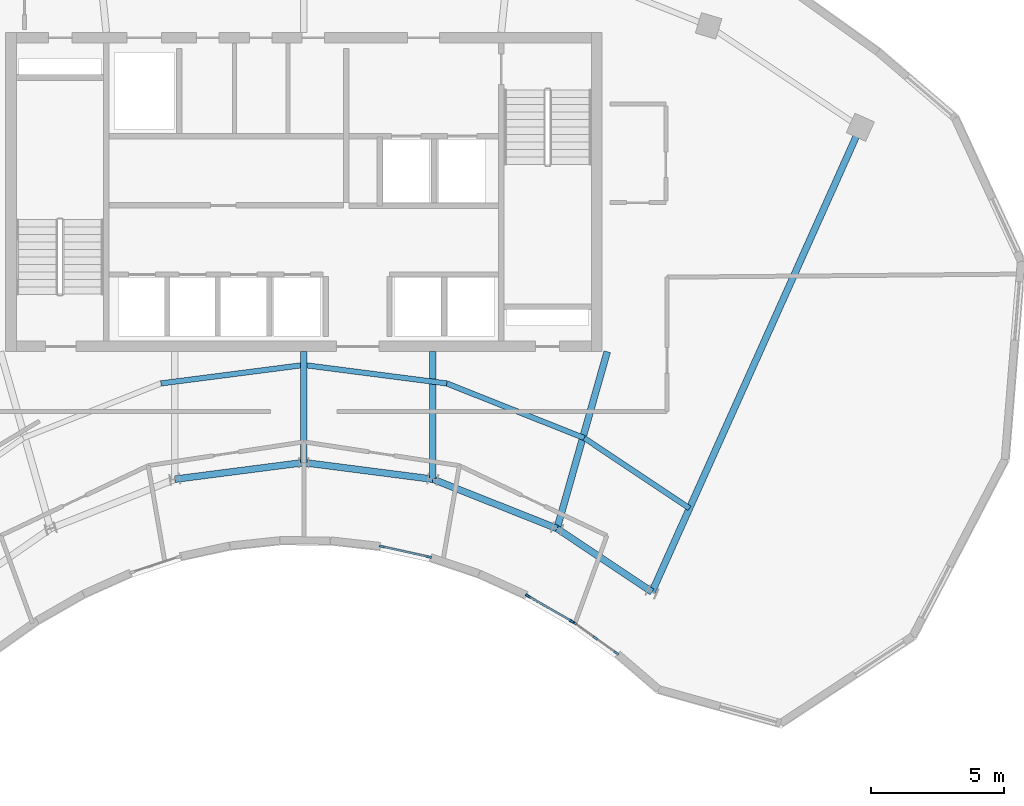
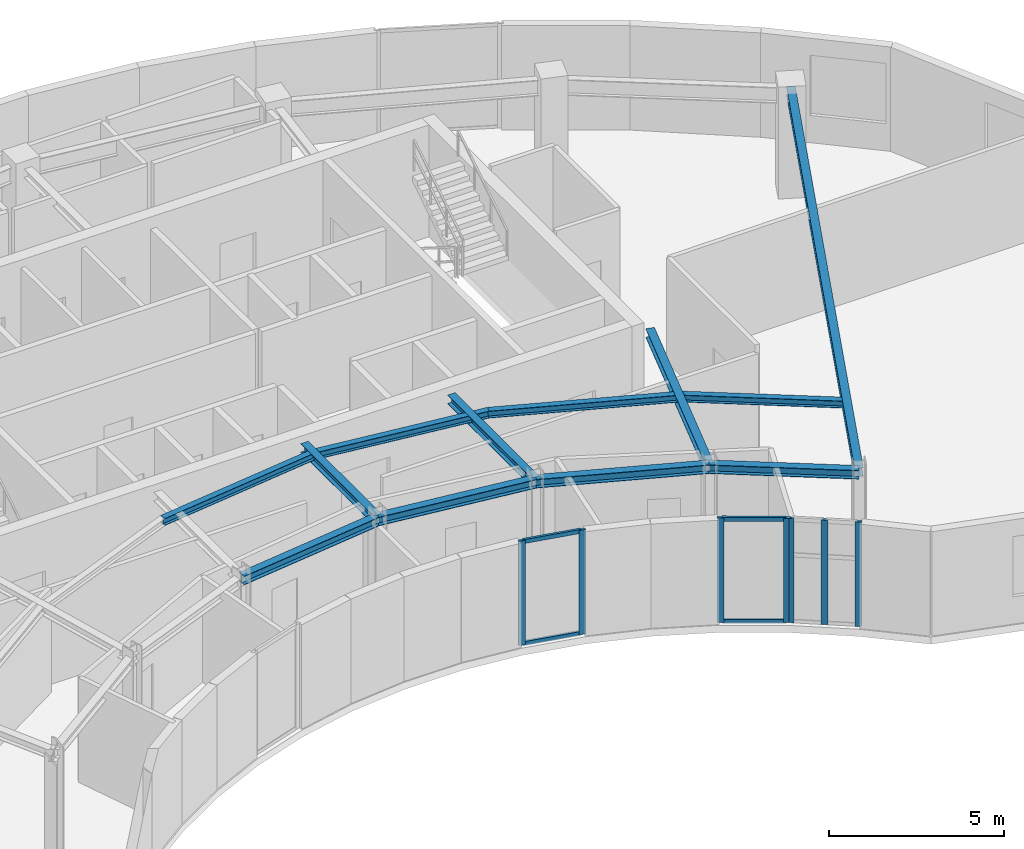
# One storey, part 3 of 13: 12 beams, 11 members, 3 elements without a shape of their own.
"""IFC4 building model written with IfcOpenShell, lengths in metres."""

from ifc_helpers import new_model, si_unit, direction, frame, origin, origin_2d, place, context, subcontext, project, spatial, rectangle, i_section, extrude, source, transform, mapped, material, layer, layer_set, material_profile, profile_set, type_object, element, aggregate, save


model = new_model("IFC4")

# Units and contexts
model_context = context("Model", 3, precision=1e-05, world=origin(), true_north=direction((0.0, 1.0)))
body_context = subcontext(model_context, "Body", "Model", "MODEL_VIEW")
ifc_project = project(units=[si_unit("LENGTHUNIT", "METRE"), si_unit("AREAUNIT", "SQUARE_METRE"), si_unit("VOLUMEUNIT", "CUBIC_METRE"), si_unit("PLANEANGLEUNIT", "RADIAN"), si_unit("MASSUNIT", "GRAM", prefix="KILO")], contexts=[model_context])

# Site, building, storey
site_placement = place(None, origin())
site = spatial("IfcSite", under=ifc_project, at=site_placement, CompositionType="ELEMENT")
building_placement = place(site_placement, origin())
building = spatial("IfcBuilding", under=site, at=building_placement, Name="Breltana Convention Tower", CompositionType="ELEMENT")
storey_placement = place(building_placement, frame((0.0, 0.0, 271.800048828125)))
storey = spatial("IfcBuildingStorey", under=building, at=storey_placement, Name="L66", CompositionType="ELEMENT", Elevation=271.800048828125)

# Beams
ifc_material_1 = material(Name="Steel ASTM A992 Grade 50", Category="steel")
ifc_material_profile_1 = material_profile(ifc_material_1, i_section(OverallWidth=0.25390625, OverallDepth=0.305908203125, WebThickness=0.0087890625, FlangeThickness=0.0146484375, at=origin_2d()), Name="W12X53")
ifc_profile_set_1 = profile_set([ifc_material_profile_1], Name="Steel ASTM A992 Grade 50")
beam_type_1 = type_object("IfcBeamType", Name="BM-CN-W12X53", PredefinedType="BEAM", material=ifc_profile_set_1)
shared_shape_1 = source(origin(), body_context, "Body", "SweptSolid", [
    extrude(i_section(OverallWidth=0.25390625, OverallDepth=0.305908203125, WebThickness=0.0087890625, FlangeThickness=0.0146484375, at=origin_2d()), origin(), (0.0, 0.0, 1.0), 6.904541015625),
])
beam_1_placement = place(storey_placement, frame((59.39990234375, 60.199951171875, 3.487060546875), z_axis=(-0.273006781054, -0.962012108811, 0.0), x_axis=(0.962012108811, -0.273006781054, 0.0)))
element("IfcBeam", 1, at=beam_1_placement, inside=storey, type_object=beam_type_1, Name="L66 South Core Tie Girder R08", PredefinedType="BEAM", context=body_context, shape_type="MappedRepresentation", body=[
    mapped(shared_shape_1, transform((0.0, 0.0, 0.0), scale=1.0)),
])
shared_shape_2 = source(origin(), body_context, "Body", "SweptSolid", [
    extrude(i_section(OverallWidth=0.25390625, OverallDepth=0.305908203125, WebThickness=0.0087890625, FlangeThickness=0.0146484375, at=origin_2d()), origin(), (0.0, 0.0, 1.0), 4.789306640625),
])
beam_2_placement = place(storey_placement, frame((52.846435546875, 60.199951171875, 3.487060546875), z_axis=(0.0, -1.0, 0.0), x_axis=(1.0, 0.0, 0.0)))
element("IfcBeam", 2, at=beam_2_placement, inside=storey, type_object=beam_type_1, Name="L66 South Core Tie Girder R07", PredefinedType="BEAM", context=body_context, shape_type="MappedRepresentation", body=[
    mapped(shared_shape_2, transform((0.0, 0.0, 0.0), scale=1.0)),
])
shared_shape_3 = source(origin(), body_context, "Body", "SweptSolid", [
    extrude(i_section(OverallWidth=0.25390625, OverallDepth=0.305908203125, WebThickness=0.0087890625, FlangeThickness=0.0146484375, at=origin_2d()), origin(), (0.0, 0.0, 1.0), 4.1640625),
])
beam_3_placement = place(storey_placement, frame((48.0, 60.199951171875, 3.487060546875), z_axis=(0.0, -1.0, 0.0), x_axis=(1.0, 0.0, 0.0)))
element("IfcBeam", 3, at=beam_3_placement, inside=storey, type_object=beam_type_1, Name="L66 South Core Tie Girder R06", PredefinedType="BEAM", context=body_context, shape_type="MappedRepresentation", body=[
    mapped(shared_shape_3, transform((0.0, 0.0, 0.0), scale=1.0)),
])
shared_shape_4 = source(origin(), body_context, "Body", "SweptSolid", [
    extrude(i_section(OverallWidth=0.25390625, OverallDepth=0.305908203125, WebThickness=0.0087890625, FlangeThickness=0.0146484375, at=origin_2d()), origin(), (0.0, 0.0, 1.0), 19.133544921875),
])
beam_4_placement = place(storey_placement, frame((61.08203125, 51.174560546875, 3.487060546875), z_axis=(0.409144564164, 0.912469575172, 0.0), x_axis=(-0.912469575172, 0.409144564164, 0.0)))
element("IfcBeam", 4, at=beam_4_placement, inside=storey, type_object=beam_type_1, Name="L66 Radial Floor Girder R09", PredefinedType="BEAM", context=body_context, shape_type="MappedRepresentation", body=[
    mapped(shared_shape_4, transform((0.0, 0.0, 0.0), scale=1.0)),
])
shared_shape_5 = source(origin(), body_context, "Body", "SweptSolid", [
    extrude(i_section(OverallWidth=0.25390625, OverallDepth=0.305908203125, WebThickness=0.0087890625, FlangeThickness=0.0146484375, at=origin_2d()), origin(), (0.0, 0.0, 1.0), 5.022705078125),
])
beam_5_placement = place(storey_placement, frame((52.846435546875, 55.41064453125, 3.487060546875), z_axis=(0.929458966248, -0.368925507469, 0.0), x_axis=(0.368925507469, 0.929458966248, 0.0)))
element("IfcBeam", 5, at=beam_5_placement, inside=storey, type_object=beam_type_1, Name="L66 Inner Ring Beam 07", PredefinedType="BEAM", context=body_context, shape_type="MappedRepresentation", body=[
    mapped(shared_shape_5, transform((0.0, 0.0, 0.0), scale=1.0)),
])
ifc_material_profile_2 = material_profile(ifc_material_1, i_section(OverallWidth=0.201904296875, OverallDepth=0.2470703125, WebThickness=0.00732421875, FlangeThickness=0.010986328125, at=origin_2d()), Name="W10X33")
ifc_profile_set_2 = profile_set([ifc_material_profile_2], Name="Steel ASTM A992 Grade 50")
beam_type_2 = type_object("IfcBeamType", Name="BM-JSG-11", PredefinedType="JOIST", material=ifc_profile_set_2)
shared_shape_6 = source(origin(), body_context, "Body", "SweptSolid", [
    extrude(i_section(OverallWidth=0.201904296875, OverallDepth=0.2470703125, WebThickness=0.00732421875, FlangeThickness=0.010986328125, at=origin_2d()), origin(), (0.0, 0.0, 1.0), 5.563720703125),
])
beam_6_placement = place(storey_placement, frame((53.36865234375, 59.009521484375, 3.516357421875), z_axis=(0.929447960386, -0.368953234074, 0.0), x_axis=(0.368953234074, 0.929447960386, 0.0)))
element("IfcBeam", 6, at=beam_6_placement, inside=storey, type_object=beam_type_2, Name="L66 Composite Floor Joist 07.1", PredefinedType="JOIST", context=body_context, shape_type="MappedRepresentation", body=[
    mapped(shared_shape_6, transform((0.0, 0.0, 0.0), scale=1.0)),
])
shared_shape_7 = source(origin(), body_context, "Body", "SweptSolid", [
    extrude(i_section(OverallWidth=0.25390625, OverallDepth=0.305908203125, WebThickness=0.0087890625, FlangeThickness=0.0146484375, at=origin_2d()), origin(), (0.0, 0.0, 1.0), 4.88671875),
])
for number, where, z_axis, x_axis, name in (
    (7, (43.153564453125, 55.41064453125, 3.487060546875), (0.991780525565, 0.127950729231, 0.0), (-0.127950729231, 0.991780525565, 0.0), "L66 Inner Ring Beam 05"),
    (8, (48.0, 56.035888671875, 3.487060546875), (0.991780525565, -0.127950729231, 0.0), (0.127950729231, 0.991780525565, 0.0), "L66 Inner Ring Beam 06"),
):
    element("IfcBeam", number, at=place(storey_placement, frame(where, z_axis=z_axis, x_axis=x_axis)), inside=storey, type_object=beam_type_1, Name=name, PredefinedType="BEAM", context=body_context, shape_type="MappedRepresentation", body=[
        mapped(shared_shape_7, transform((0.0, 0.0, 0.0), scale=1.0)),
    ])
shared_shape_8 = source(origin(), body_context, "Body", "SweptSolid", [
    extrude(i_section(OverallWidth=0.201904296875, OverallDepth=0.2470703125, WebThickness=0.00732421875, FlangeThickness=0.010986328125, at=origin_2d()), origin(), (0.0, 0.0, 1.0), 5.4130859375),
])
for number, where, z_axis, x_axis, name in (
    (9, (42.63134765625, 59.009521484375, 3.516357421875), (0.991780266945, 0.127952733848, 0.0), (-0.127952733848, 0.991780266945, 0.0), "L66 Composite Floor Joist 05.1"),
    (10, (48.0, 59.7021484375, 3.516357421875), (0.991780266945, -0.127952733848, 0.0), (0.127952733848, 0.991780266945, 0.0), "L66 Composite Floor Joist 06.1"),
):
    element("IfcBeam", number, at=place(storey_placement, frame(where, z_axis=z_axis, x_axis=x_axis)), inside=storey, type_object=beam_type_2, Name=name, PredefinedType="JOIST", context=body_context, shape_type="MappedRepresentation", body=[
        mapped(shared_shape_8, transform((0.0, 0.0, 0.0), scale=1.0)),
    ])
shared_shape_9 = source(origin(), body_context, "Body", "SweptSolid", [
    extrude(i_section(OverallWidth=0.25390625, OverallDepth=0.305908203125, WebThickness=0.0087890625, FlangeThickness=0.0146484375, at=origin_2d()), origin(), (0.0, 0.0, 1.0), 4.2900390625),
])
beam_7_placement = place(storey_placement, frame((57.514892578125, 53.5576171875, 3.487060546875), z_axis=(0.831515827753, -0.555501060482, 0.0), x_axis=(0.555501060482, 0.831515827753, 0.0)))
element("IfcBeam", 11, at=beam_7_placement, inside=storey, type_object=beam_type_1, Name="L66 Inner Ring Beam 08", PredefinedType="BEAM", context=body_context, shape_type="MappedRepresentation", body=[
    mapped(shared_shape_9, transform((0.0, 0.0, 0.0), scale=1.0)),
])
shared_shape_10 = source(origin(), body_context, "Body", "SweptSolid", [
    extrude(i_section(OverallWidth=0.201904296875, OverallDepth=0.2470703125, WebThickness=0.00732421875, FlangeThickness=0.010986328125, at=origin_2d()), origin(), (0.0, 0.0, 1.0), 4.751953125),
])
beam_8_placement = place(storey_placement, frame((58.539794921875, 56.956787109375, 3.516357421875), z_axis=(0.831528257555, -0.555482454167, 0.0), x_axis=(0.555482454167, 0.831528257555, 0.0)))
element("IfcBeam", 12, at=beam_8_placement, inside=storey, type_object=beam_type_2, Name="L66 Composite Floor Joist 08.1", PredefinedType="JOIST", context=body_context, shape_type="MappedRepresentation", body=[
    mapped(shared_shape_10, transform((0.0, 0.0, 0.0), scale=1.0)),
])

# Curtain wall, members
ifc_material_2 = material(Name="Aluminium Anodised Bronze Frame", Category="aluminium")
ifc_layer = layer(ifc_material_2, 0.18994140625, Name="Aluminium Anodised Bronze Frame")
ifc_layer_set = layer_set([ifc_layer], Name="Aluminium Anodised Bronze Frame")
curtain_wall_type = type_object("IfcCurtainWallType", Name="CW-SYS-1", PredefinedType="NOTDEFINED", material=ifc_layer_set)
curtain_wall_1_placement = place(storey_placement, origin())
curtain_wall_1 = element("IfcCurtainWall", 13, at=curtain_wall_1_placement, inside=storey, type_object=curtain_wall_type, Name="L66 inner south-court glazing 1", PredefinedType="NOTDEFINED")
ifc_material_3 = material(Name="Aluminium Anodised Bronze", Category="aluminium")
ifc_material_profile_3 = material_profile(ifc_material_3, rectangle(XDim=0.080078125, YDim=0.199951171875, at=origin_2d()), Name="CWM-80X200")
ifc_profile_set_3 = profile_set([ifc_material_profile_3], Name="Aluminium Anodised Bronze")
member_type_1 = type_object("IfcMemberType", Name="CWM-200", PredefinedType="MULLION", material=ifc_profile_set_3)
shared_shape_11 = source(origin(), body_context, "Body", "SweptSolid", [
    extrude(rectangle(XDim=0.080078125, YDim=0.199951171875, at=origin_2d()), origin(), (0.0, 0.0, 1.0), 3.639892578125),
])
member_1_placement = place(storey_placement, frame((59.743896484375, 48.881591796875, 0.0), z_axis=(0.0, 0.0, 1.0), x_axis=(-0.58065619198, -0.814148872575, 0.0)))
member_1 = element("IfcMember", 14, at=member_1_placement, type_object=member_type_1, Name="CW-01 mullion 1", PredefinedType="MULLION", context=body_context, shape_type="MappedRepresentation", body=[
    mapped(shared_shape_11, transform((0.0, 0.0, 0.0), scale=1.0)),
])
member_2_placement = place(storey_placement, frame((58.94921875, 49.448486328125, 0.0), z_axis=(0.0, 0.0, 1.0), x_axis=(-0.58065619198, -0.814148872575, 0.0)))
member_2 = element("IfcMember", 15, at=member_2_placement, type_object=member_type_1, Name="CW-01 mullion 2", PredefinedType="MULLION", context=body_context, shape_type="MappedRepresentation", body=[
    mapped(shared_shape_11, transform((0.0, 0.0, 0.0), scale=1.0)),
])
member_3_placement = place(storey_placement, frame((58.154541015625, 50.01513671875, 0.0), z_axis=(0.0, 0.0, 1.0), x_axis=(-0.58065619198, -0.814148872575, 0.0)))
member_3 = element("IfcMember", 16, at=member_3_placement, type_object=member_type_1, Name="CW-01 mullion 3", PredefinedType="MULLION", context=body_context, shape_type="MappedRepresentation", body=[
    mapped(shared_shape_11, transform((0.0, 0.0, 0.0), scale=1.0)),
])
aggregate(curtain_wall_1, [member_1, member_2, member_3])

curtain_wall_2_placement = place(storey_placement, origin())
curtain_wall_2 = element("IfcCurtainWall", 17, at=curtain_wall_2_placement, inside=storey, type_object=curtain_wall_type, Name="L66 inner south-court glazing 2", PredefinedType="NOTDEFINED")
member_4_placement = place(storey_placement, frame((58.072998046875, 50.067626953125, 0.0), z_axis=(0.0, 0.0, 1.0), x_axis=(-0.501216684434, -0.865321810221, 0.0)))
member_4 = element("IfcMember", 18, at=member_4_placement, type_object=member_type_1, Name="CW-01 mullion 1", PredefinedType="MULLION", context=body_context, shape_type="MappedRepresentation", body=[
    mapped(shared_shape_11, transform((0.0, 0.0, 0.0), scale=1.0)),
])
member_5_placement = place(storey_placement, frame((56.421875, 51.024169921875, 0.0), z_axis=(0.0, 0.0, 1.0), x_axis=(-0.501216684434, -0.865321810221, 0.0)))
member_5 = element("IfcMember", 19, at=member_5_placement, type_object=member_type_1, Name="CW-01 mullion 2", PredefinedType="MULLION", context=body_context, shape_type="MappedRepresentation", body=[
    mapped(shared_shape_11, transform((0.0, 0.0, 0.0), scale=1.0)),
])

curtain_wall_3_placement = place(storey_placement, origin())
curtain_wall_3 = element("IfcCurtainWall", 20, at=curtain_wall_3_placement, inside=storey, type_object=curtain_wall_type, Name="L66 inner south-court glazing 3", PredefinedType="NOTDEFINED")
member_6_placement = place(storey_placement, frame((52.7041015625, 52.48974609375, 0.0), z_axis=(0.0, 0.0, 1.0), x_axis=(-0.217098160332, -0.976149777842, 0.0)))
member_6 = element("IfcMember", 21, at=member_6_placement, type_object=member_type_1, Name="CW-01 mullion 1", PredefinedType="MULLION", context=body_context, shape_type="MappedRepresentation", body=[
    mapped(shared_shape_11, transform((0.0, 0.0, 0.0), scale=1.0)),
])
member_7_placement = place(storey_placement, frame((50.933349609375, 52.883544921875, 0.0), z_axis=(0.0, 0.0, 1.0), x_axis=(-0.217098160332, -0.976149777842, 0.0)))
member_7 = element("IfcMember", 22, at=member_7_placement, type_object=member_type_1, Name="CW-01 mullion 2", PredefinedType="MULLION", context=body_context, shape_type="MappedRepresentation", body=[
    mapped(shared_shape_11, transform((0.0, 0.0, 0.0), scale=1.0)),
])

# Member
ifc_material_profile_4 = material_profile(ifc_material_3, rectangle(XDim=0.080078125, YDim=0.139892578125, at=origin_2d()), Name="CWT-80X140")
ifc_profile_set_4 = profile_set([ifc_material_profile_4], Name="Aluminium Anodised Bronze")
member_type_2 = type_object("IfcMemberType", Name="CWT-140", PredefinedType="USERDEFINED", material=ifc_profile_set_4)
shared_shape_12 = source(origin(), body_context, "Body", "SweptSolid", [
    extrude(rectangle(XDim=0.080078125, YDim=0.139892578125, at=origin_2d()), origin(), (0.0, 0.0, 1.0), 1.828125),
])
member_8_placement = place(storey_placement, frame((58.03857421875, 50.087890625, 0.0400390625), z_axis=(-0.865343988334, 0.501178393243, 0.0), x_axis=(-0.501178393243, -0.865343988334, 0.0)))
member_8 = element("IfcMember", 23, at=member_8_placement, type_object=member_type_2, Name="CW-01 transom 1.1", ObjectType="TRANSOM", PredefinedType="USERDEFINED", context=body_context, shape_type="MappedRepresentation", body=[
    mapped(shared_shape_12, transform((0.0, 0.0, 0.0), scale=1.0)),
])

member_9_placement = place(storey_placement, frame((58.03857421875, 50.087890625, 3.599853515625), z_axis=(-0.865343988334, 0.501178393243, 0.0), x_axis=(-0.501178393243, -0.865343988334, 0.0)))
member_9 = element("IfcMember", 24, at=member_9_placement, type_object=member_type_2, Name="CW-01 transom 1.2", ObjectType="TRANSOM", PredefinedType="USERDEFINED", context=body_context, shape_type="MappedRepresentation", body=[
    mapped(shared_shape_12, transform((0.0, 0.0, 0.0), scale=1.0)),
])

aggregate(curtain_wall_2, [member_4, member_5, member_8, member_9])

shared_shape_13 = source(origin(), body_context, "Body", "SweptSolid", [
    extrude(rectangle(XDim=0.080078125, YDim=0.139892578125, at=origin_2d()), origin(), (0.0, 0.0, 1.0), 1.73388671875),
])
member_10_placement = place(storey_placement, frame((52.6650390625, 52.49853515625, 0.0400390625), z_axis=(-0.976147289276, 0.217109349497, 0.0), x_axis=(-0.217109349497, -0.976147289276, 0.0)))
member_10 = element("IfcMember", 25, at=member_10_placement, type_object=member_type_2, Name="CW-01 transom 1.1", ObjectType="TRANSOM", PredefinedType="USERDEFINED", context=body_context, shape_type="MappedRepresentation", body=[
    mapped(shared_shape_13, transform((0.0, 0.0, 0.0), scale=1.0)),
])

member_11_placement = place(storey_placement, frame((52.6650390625, 52.49853515625, 3.599853515625), z_axis=(-0.976147289276, 0.217109349497, 0.0), x_axis=(-0.217109349497, -0.976147289276, 0.0)))
member_11 = element("IfcMember", 26, at=member_11_placement, type_object=member_type_2, Name="CW-01 transom 1.2", ObjectType="TRANSOM", PredefinedType="USERDEFINED", context=body_context, shape_type="MappedRepresentation", body=[
    mapped(shared_shape_13, transform((0.0, 0.0, 0.0), scale=1.0)),
])

aggregate(curtain_wall_3, [member_6, member_7, member_10, member_11])

save(model, "model.ifc")
